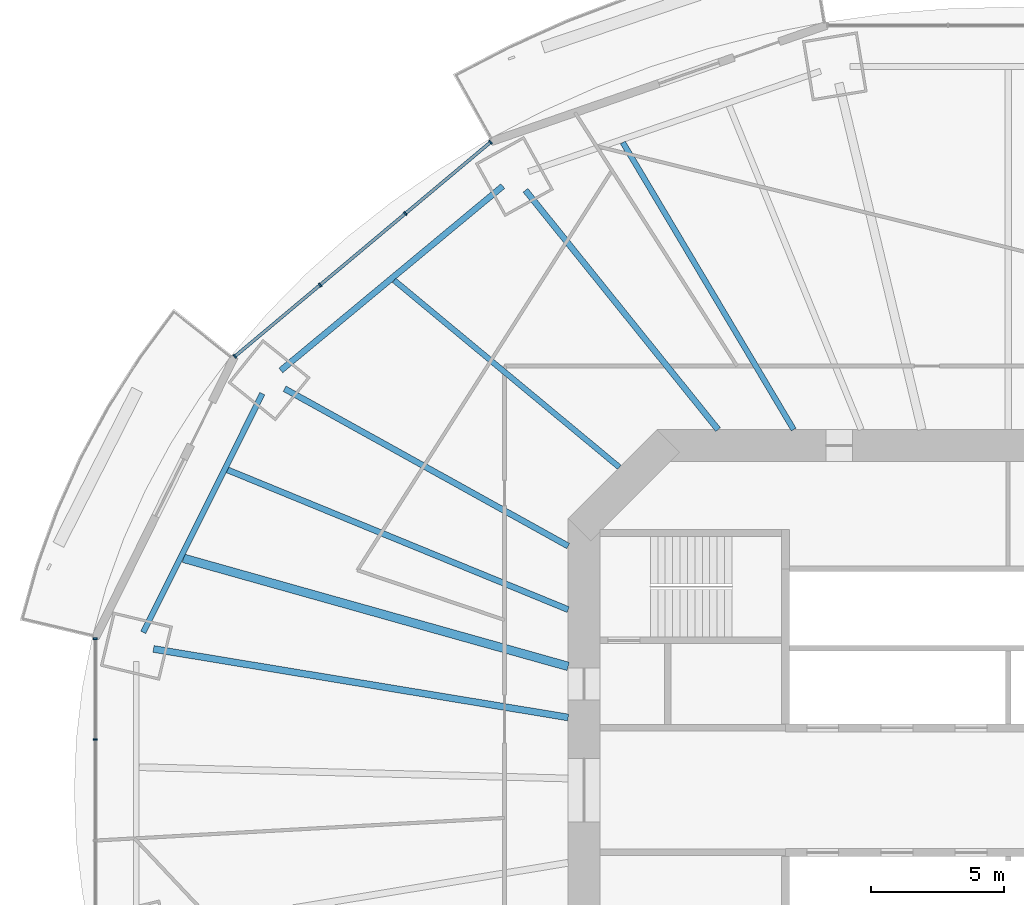
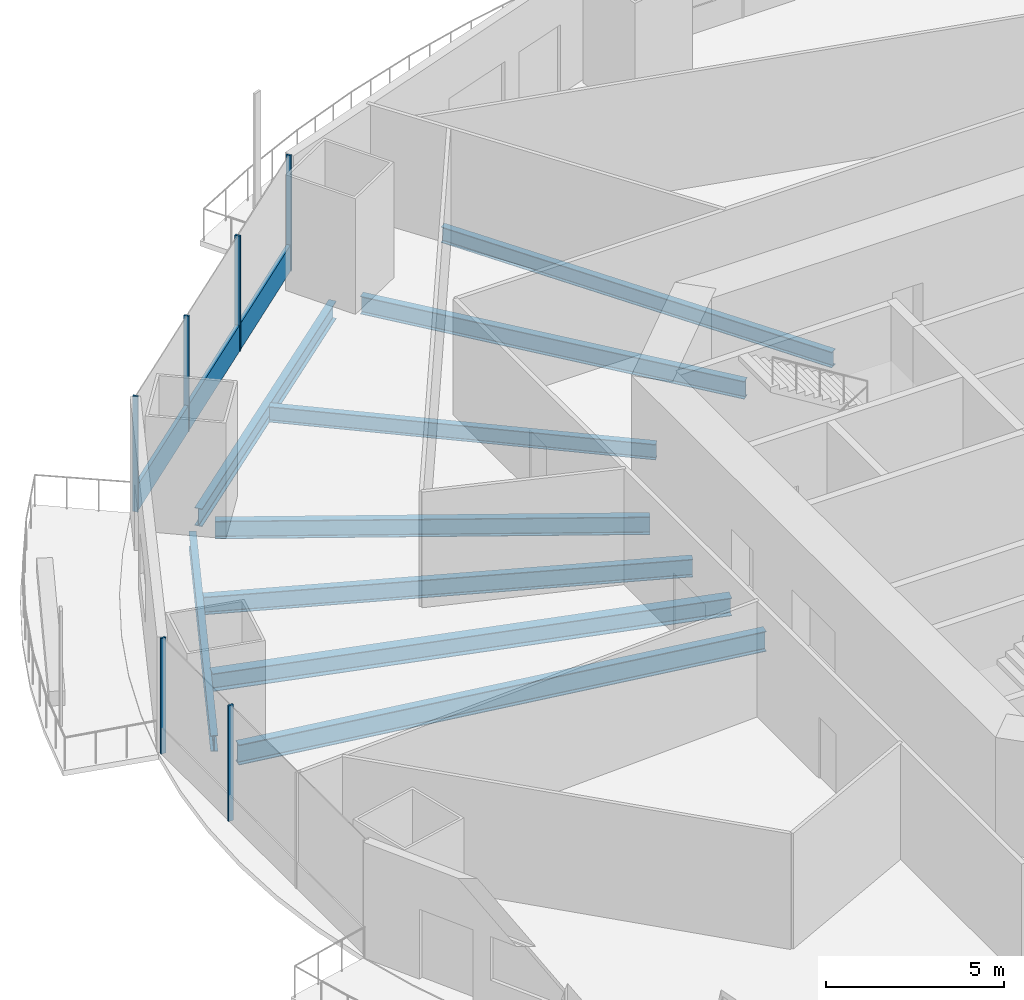
# One storey, part 6 of 22: 9 beams, 7 members, 2 elements without a shape of their own.
"""IFC4 building model written with IfcOpenShell, lengths in metres."""

from ifc_helpers import new_model, si_unit, direction, frame, origin, origin_2d, place, context, subcontext, project, spatial, rectangle, i_section, extrude, material, material_profile, profile_set, type_object, element, aggregate, save


model = new_model("IFC4")

# Units and contexts
model_context = context("Model", 3, precision=1e-05, world=origin(), true_north=direction((0.0, 1.0)))
body_context = subcontext(model_context, "Body", "Model", "MODEL_VIEW")
ifc_project = project(units=[si_unit("LENGTHUNIT", "METRE"), si_unit("AREAUNIT", "SQUARE_METRE"), si_unit("VOLUMEUNIT", "CUBIC_METRE"), si_unit("PLANEANGLEUNIT", "RADIAN"), si_unit("MASSUNIT", "GRAM", prefix="KILO")], contexts=[model_context])

# Site, building, storey
site_placement = place(None, origin())
site = spatial("IfcSite", under=ifc_project, at=site_placement, CompositionType="ELEMENT")
building_placement = place(site_placement, origin())
building = spatial("IfcBuilding", under=site, at=building_placement, Name="Marenthal Gate Tower", CompositionType="ELEMENT")
storey_placement = place(building_placement, frame((0.0, 0.0, 82.800048828125)))
storey = spatial("IfcBuildingStorey", under=building, at=storey_placement, Name="L16", CompositionType="ELEMENT", Elevation=82.800048828125)

# Curtain wall, members
ifc_material_1 = material(Name="Aluminium and glass", Category="aluminium")
curtain_wall_type = type_object("IfcCurtainWallType", Name="Curtain wall typical low", PredefinedType="NOTDEFINED", material=ifc_material_1)
curtain_wall_1_placement = place(storey_placement, origin())
curtain_wall_1 = element("IfcCurtainWall", 1, at=curtain_wall_1_placement, inside=storey, type_object=curtain_wall_type, Name="Curtain wall L16 bay 6", PredefinedType="NOTDEFINED")
ifc_material_2 = material(Name="Aluminium", Category="aluminium")
ifc_material_profile_1 = material_profile(ifc_material_2, rectangle(XDim=0.159912109375, YDim=0.06005859375, at=origin_2d()), Name="60x160 aluminium mullion")
ifc_profile_set_1 = profile_set([ifc_material_profile_1], Name="Aluminium")
member_type_1 = type_object("IfcMemberType", Name="Mullion 60x160 typical low", PredefinedType="MULLION", material=ifc_profile_set_1)
member_1_placement = place(storey_placement, frame((-19.529541015625, 24.44091796875, 0.0), z_axis=(0.0, 0.0, 1.0), x_axis=(0.642228281301, -0.766513427604, 0.0)))
member_1 = element("IfcMember", 2, at=member_1_placement, type_object=member_type_1, Name="Mullion L16 bay 6.1", PredefinedType="MULLION", context=body_context, shape_type="SweptSolid", body=[
    extrude(rectangle(XDim=0.159912109375, YDim=0.06005859375, at=origin_2d()), origin(), (0.0, 0.0, 1.0), 3.969970703125),
])
member_2_placement = place(storey_placement, frame((-22.7431640625, 21.748291015625, 0.0), z_axis=(0.0, 0.0, 1.0), x_axis=(0.642228281301, -0.766513427604, 0.0)))
member_2 = element("IfcMember", 3, at=member_2_placement, type_object=member_type_1, Name="Mullion L16 bay 6.2", PredefinedType="MULLION", context=body_context, shape_type="SweptSolid", body=[
    extrude(rectangle(XDim=0.159912109375, YDim=0.06005859375, at=origin_2d()), origin(), (0.0, 0.0, 1.0), 3.969970703125),
])
member_3_placement = place(storey_placement, frame((-25.95703125, 19.0556640625, 0.0), z_axis=(0.0, 0.0, 1.0), x_axis=(0.642228281301, -0.766513427604, 0.0)))
member_3 = element("IfcMember", 4, at=member_3_placement, type_object=member_type_1, Name="Mullion L16 bay 6.3", PredefinedType="MULLION", context=body_context, shape_type="SweptSolid", body=[
    extrude(rectangle(XDim=0.159912109375, YDim=0.06005859375, at=origin_2d()), origin(), (0.0, 0.0, 1.0), 3.969970703125),
])
member_4_placement = place(storey_placement, frame((-29.170654296875, 16.363037109375, 0.0), z_axis=(0.0, 0.0, 1.0), x_axis=(0.642228281301, -0.766513427604, 0.0)))
member_4 = element("IfcMember", 5, at=member_4_placement, type_object=member_type_1, Name="Mullion L16 bay 6.4", PredefinedType="MULLION", context=body_context, shape_type="SweptSolid", body=[
    extrude(rectangle(XDim=0.159912109375, YDim=0.06005859375, at=origin_2d()), origin(), (0.0, 0.0, 1.0), 3.969970703125),
])

curtain_wall_2_placement = place(storey_placement, origin())
curtain_wall_2 = element("IfcCurtainWall", 6, at=curtain_wall_2_placement, inside=storey, type_object=curtain_wall_type, Name="Curtain wall L16 bay 8", PredefinedType="NOTDEFINED")
member_5_placement = place(storey_placement, frame((-34.436279296875, 5.709228515625, 0.0), z_axis=(0.0, 0.0, 1.0), x_axis=(1.0, 0.0, 0.0)))
member_5 = element("IfcMember", 7, at=member_5_placement, type_object=member_type_1, Name="Mullion L16 bay 8.1", PredefinedType="MULLION", context=body_context, shape_type="SweptSolid", body=[
    extrude(rectangle(XDim=0.159912109375, YDim=0.06005859375, at=origin_2d()), origin(), (0.0, 0.0, 1.0), 3.969970703125),
])
member_6_placement = place(storey_placement, frame((-34.436279296875, 1.903076171875, 0.0), z_axis=(0.0, 0.0, 1.0), x_axis=(1.0, 0.0, 0.0)))
member_6 = element("IfcMember", 8, at=member_6_placement, type_object=member_type_1, Name="Mullion L16 bay 8.2", PredefinedType="MULLION", context=body_context, shape_type="SweptSolid", body=[
    extrude(rectangle(XDim=0.159912109375, YDim=0.06005859375, at=origin_2d()), origin(), (0.0, 0.0, 1.0), 3.969970703125),
])
aggregate(curtain_wall_2, [member_5, member_6])

# Member
ifc_material_3 = material(Name="Aluminium", Category="aluminium")
ifc_material_profile_2 = material_profile(ifc_material_3, rectangle(XDim=0.1201171875, YDim=0.89990234375, at=origin_2d()), Name="120x900 aluminium transom")
ifc_profile_set_2 = profile_set([ifc_material_profile_2], Name="Aluminium")
member_type_2 = type_object("IfcMemberType", Name="Transom 120x900 typical low", PredefinedType="USERDEFINED", material=ifc_profile_set_2)
member_7_placement = place(storey_placement, frame((-19.552490234375, 24.421630859375, 0.449951171875), z_axis=(-0.766517626831, -0.642223269399, 0.0), x_axis=(0.642223269399, -0.766517626831, 0.0)))
member_7 = element("IfcMember", 9, at=member_7_placement, type_object=member_type_2, Name="Transom L16 bay 6", ObjectType="TRANSOM", PredefinedType="USERDEFINED", context=body_context, shape_type="SweptSolid", body=[
    extrude(rectangle(XDim=0.1201171875, YDim=0.89990234375, at=origin_2d()), origin(), (0.0, 0.0, 1.0), 12.517822265625),
])

aggregate(curtain_wall_1, [member_1, member_2, member_3, member_4, member_7])

# Beams
ifc_material_4 = material(Name="Steel S355", Category="steel")
ifc_material_profile_3 = material_profile(ifc_material_4, i_section(OverallWidth=0.2099609375, OverallDepth=0.535888671875, WebThickness=0.010986328125, FlangeThickness=0.017333984375, FilletRadius=0.0126953125, at=origin_2d()), Name="W530X101")
ifc_profile_set_3 = profile_set([ifc_material_profile_3], Name="Steel S355")
beam_type_1 = type_object("IfcBeamType", Name="W530X101 beam", PredefinedType="BEAM", material=ifc_profile_set_3)
beam_1_placement = place(storey_placement, frame((-23.164794921875, 19.23193359375, -0.447998046875), z_axis=(0.769390815443, -0.638778344273, 0.0), x_axis=(0.638778344273, 0.769390815443, 0.0)))
element("IfcBeam", 10, at=beam_1_placement, inside=storey, type_object=beam_type_1, Name="BM-L16-25", PredefinedType="BEAM", context=body_context, shape_type="SweptSolid", body=[
    extrude(i_section(OverallWidth=0.2099609375, OverallDepth=0.535888671875, WebThickness=0.010986328125, FlangeThickness=0.017333984375, FilletRadius=0.0126953125, at=origin_2d()), origin(), (0.0, 0.0, 1.0), 11.041259765625),
])
ifc_material_5 = material(Name="Steel S355", Category="steel")
ifc_material_profile_4 = material_profile(ifc_material_5, i_section(OverallWidth=0.2119140625, OverallDepth=0.5439453125, WebThickness=0.01318359375, FlangeThickness=0.021240234375, FilletRadius=0.0126953125, at=origin_2d()), Name="W530X123")
ifc_profile_set_4 = profile_set([ifc_material_profile_4], Name="Steel S355")
beam_type_2 = type_object("IfcBeamType", Name="W530X123 beam", PredefinedType="BEAM", material=ifc_profile_set_4)
beam_2_placement = place(storey_placement, frame((-14.539794921875, 24.431396484375, -0.4521484375), z_axis=(0.511416092882, -0.859333218223, 0.0), x_axis=(0.859333218223, 0.511416092882, 0.0)))
element("IfcBeam", 11, at=beam_2_placement, inside=storey, type_object=beam_type_2, Name="BM-L16-24", PredefinedType="BEAM", context=body_context, shape_type="SweptSolid", body=[
    extrude(i_section(OverallWidth=0.2119140625, OverallDepth=0.5439453125, WebThickness=0.01318359375, FlangeThickness=0.021240234375, FilletRadius=0.0126953125, at=origin_2d()), origin(), (0.0, 0.0, 1.0), 12.604248046875),
])
beam_3_placement = place(storey_placement, frame((-28.13671875, 14.95166015625, -0.4521484375), z_axis=(-0.446427279823, -0.894819916983, 0.0), x_axis=(0.894819916983, -0.446427279823, 0.0)))
element("IfcBeam", 12, at=beam_3_placement, inside=storey, type_object=beam_type_2, Name="BM-L16-47", PredefinedType="BEAM", context=body_context, shape_type="SweptSolid", body=[
    extrude(i_section(OverallWidth=0.2119140625, OverallDepth=0.5439453125, WebThickness=0.01318359375, FlangeThickness=0.021240234375, FilletRadius=0.0126953125, at=origin_2d()), origin(), (0.0, 0.0, 1.0), 10.06201171875),
])
ifc_material_6 = material(Name="Steel S355", Category="steel")
ifc_material_profile_5 = material_profile(ifc_material_6, i_section(OverallWidth=0.22900390625, OverallDepth=0.612060546875, WebThickness=0.011962890625, FlangeThickness=0.01953125, FilletRadius=0.0126953125, at=origin_2d()), Name="W610X125")
ifc_profile_set_5 = profile_set([ifc_material_profile_5], Name="Steel S355")
beam_type_3 = type_object("IfcBeamType", Name="W610X125 beam", PredefinedType="BEAM", material=ifc_profile_set_5)
beam_4_placement = place(storey_placement, frame((-18.210693359375, 22.626708984375, -0.486083984375), z_axis=(0.626999737325, -0.779019466634, 0.0), x_axis=(0.779019466634, 0.626999737325, 0.0)))
element("IfcBeam", 13, at=beam_4_placement, inside=storey, type_object=beam_type_3, Name="BM-L16-06", PredefinedType="BEAM", context=body_context, shape_type="SweptSolid", body=[
    extrude(i_section(OverallWidth=0.22900390625, OverallDepth=0.612060546875, WebThickness=0.011962890625, FlangeThickness=0.01953125, FilletRadius=0.0126953125, at=origin_2d()), origin(), (0.0, 0.0, 1.0), 11.587158203125),
])
beam_5_placement = place(storey_placement, frame((-27.296630859375, 15.142333984375, -0.486083984375), z_axis=(0.874458374023, -0.485100558752, 0.0), x_axis=(0.485100558752, 0.874458374023, 0.0)))
element("IfcBeam", 14, at=beam_5_placement, inside=storey, type_object=beam_type_3, Name="BM-L16-07", PredefinedType="BEAM", context=body_context, shape_type="SweptSolid", body=[
    extrude(i_section(OverallWidth=0.22900390625, OverallDepth=0.612060546875, WebThickness=0.011962890625, FlangeThickness=0.01953125, FilletRadius=0.0126953125, at=origin_2d()), origin(), (0.0, 0.0, 1.0), 12.232177734375),
])
beam_6_placement = place(storey_placement, frame((-29.45068359375, 12.08056640625, -0.486083984375), z_axis=(0.925188716507, -0.379507363365, 0.0), x_axis=(0.379507363365, 0.925188716507, 0.0)))
element("IfcBeam", 15, at=beam_6_placement, inside=storey, type_object=beam_type_3, Name="BM-L16-26", PredefinedType="BEAM", context=body_context, shape_type="SweptSolid", body=[
    extrude(i_section(OverallWidth=0.22900390625, OverallDepth=0.612060546875, WebThickness=0.011962890625, FlangeThickness=0.01953125, FilletRadius=0.0126953125, at=origin_2d()), origin(), (0.0, 0.0, 1.0), 13.8896484375),
])
beam_7_placement = place(storey_placement, frame((-19.066162109375, 22.783447265625, -0.486083984375), z_axis=(-0.769402188258, -0.638764645784, 0.0), x_axis=(0.638764645784, -0.769402188258, 0.0)))
element("IfcBeam", 16, at=beam_7_placement, inside=storey, type_object=beam_type_3, Name="BM-L16-46", PredefinedType="BEAM", context=body_context, shape_type="SweptSolid", body=[
    extrude(i_section(OverallWidth=0.22900390625, OverallDepth=0.612060546875, WebThickness=0.011962890625, FlangeThickness=0.01953125, FilletRadius=0.0126953125, at=origin_2d()), origin(), (0.0, 0.0, 1.0), 10.884033203125),
])
ifc_material_7 = material(Name="Steel S355", Category="steel")
ifc_material_profile_6 = material_profile(ifc_material_7, i_section(OverallWidth=0.324951171875, OverallDepth=0.612060546875, WebThickness=0.0126953125, FlangeThickness=0.01904296875, FilletRadius=0.0126953125, at=origin_2d()), Name="W610X155")
ifc_profile_set_6 = profile_set([ifc_material_profile_6], Name="Steel S355")
beam_type_4 = type_object("IfcBeamType", Name="W610X155 beam", PredefinedType="BEAM", material=ifc_profile_set_6)
beam_8_placement = place(storey_placement, frame((-31.114013671875, 8.74658203125, -0.486083984375), z_axis=(0.962684828959, -0.270625054443, 0.0), x_axis=(0.270625054443, 0.962684828959, 0.0)))
element("IfcBeam", 17, at=beam_8_placement, inside=storey, type_object=beam_type_4, Name="BM-L16-27", PredefinedType="BEAM", context=body_context, shape_type="SweptSolid", body=[
    extrude(i_section(OverallWidth=0.324951171875, OverallDepth=0.612060546875, WebThickness=0.0126953125, FlangeThickness=0.01904296875, FilletRadius=0.0126953125, at=origin_2d()), origin(), (0.0, 0.0, 1.0), 15.076416015625),
])
ifc_material_8 = material(Name="Steel S355", Category="steel")
ifc_material_profile_7 = material_profile(ifc_material_8, i_section(OverallWidth=0.257080078125, OverallDepth=0.693115234375, WebThickness=0.014404296875, FlangeThickness=0.023681640625, FilletRadius=0.015380859375, at=origin_2d()), Name="W690X170")
ifc_profile_set_7 = profile_set([ifc_material_profile_7], Name="Steel S355")
beam_type_5 = type_object("IfcBeamType", Name="W690X170 beam", PredefinedType="BEAM", material=ifc_profile_set_7)
beam_9_placement = place(storey_placement, frame((-32.242431640625, 5.324462890625, -0.526611328125), z_axis=(0.986636314494, -0.162937972619, 0.0), x_axis=(0.162937972619, 0.986636314494, 0.0)))
element("IfcBeam", 18, at=beam_9_placement, inside=storey, type_object=beam_type_5, Name="BM-L16-08", PredefinedType="BEAM", context=body_context, shape_type="SweptSolid", body=[
    extrude(i_section(OverallWidth=0.257080078125, OverallDepth=0.693115234375, WebThickness=0.014404296875, FlangeThickness=0.023681640625, FilletRadius=0.015380859375, at=origin_2d()), origin(), (0.0, 0.0, 1.0), 15.854248046875),
])

save(model, "model.ifc")
